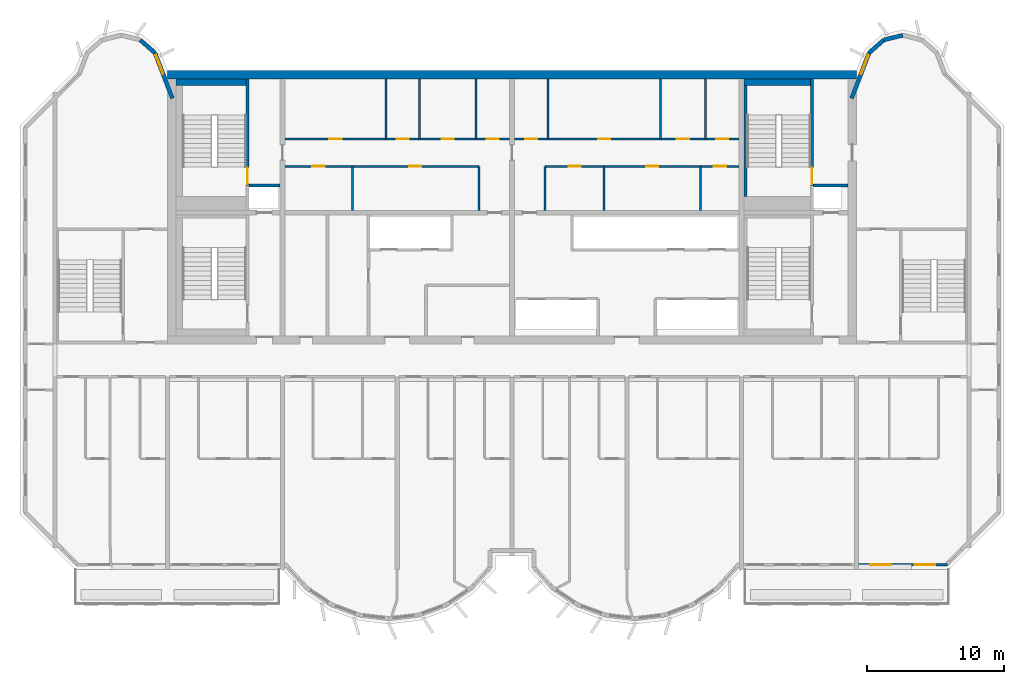
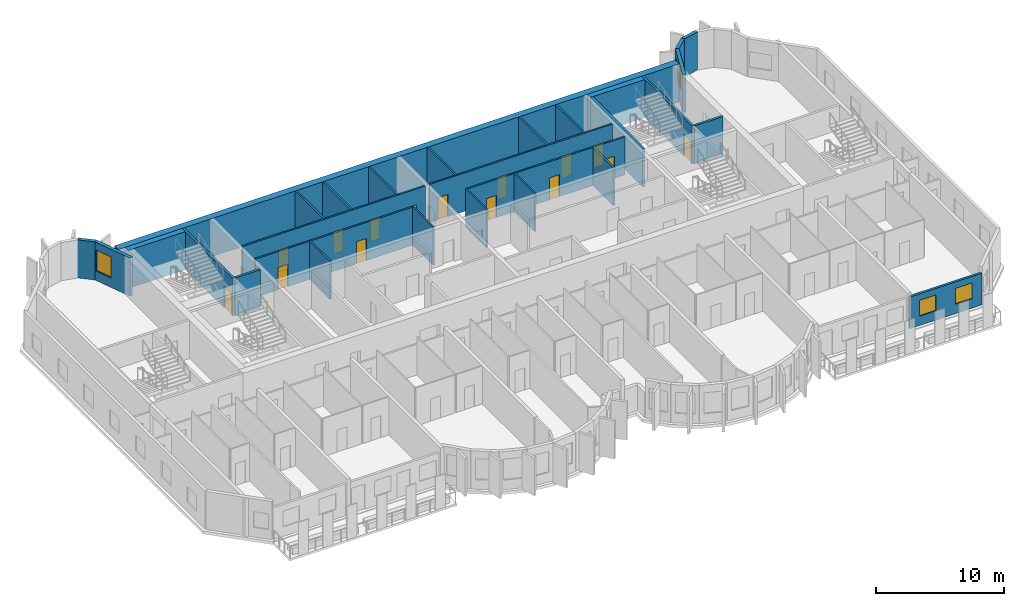
# One storey, part 7 of 11: 29 walls, 15 doors, 4 windows, 19 openings.
"""IFC4 building model written with IfcOpenShell, lengths in metres."""

from ifc_helpers import new_model, si_unit, direction, frame, frame_2d, origin, place, context, subcontext, project, spatial, rectangle, extrude, source, transform, mapped, material, layer, layer_set, type_object, element, fill, save


model = new_model("IFC4")

# Units and contexts
model_context = context("Model", 3, precision=1e-05, world=origin(), true_north=direction((0.0, 1.0)))
body_context = subcontext(model_context, "Body", "Model", "MODEL_VIEW")
ifc_project = project(units=[si_unit("LENGTHUNIT", "METRE"), si_unit("AREAUNIT", "SQUARE_METRE"), si_unit("VOLUMEUNIT", "CUBIC_METRE"), si_unit("PLANEANGLEUNIT", "RADIAN"), si_unit("MASSUNIT", "GRAM", prefix="KILO")], contexts=[model_context])

# Site, building, storey
site_placement = place(None, origin())
site = spatial("IfcSite", under=ifc_project, at=site_placement, CompositionType="ELEMENT")
building_placement = place(site_placement, origin())
building = spatial("IfcBuilding", under=site, at=building_placement, Name="Vanashikhar Sky Hotel", CompositionType="ELEMENT")
storey_placement = place(building_placement, frame((0.0, 0.0, 260.800048828125)))
storey = spatial("IfcBuildingStorey", under=building, at=storey_placement, Name="L63", CompositionType="ELEMENT", Elevation=260.800048828125)

# Wall
ifc_material_1 = material(Name="Concrete M60", Category="concrete")
ifc_layer_1 = layer(ifc_material_1, 0.60009765625)
ifc_layer_set_1 = layer_set([ifc_layer_1], Name="RC core shell wall 600 Concrete M60")
wall_type_1 = type_object("IfcWallType", Name="RC core shell wall 600 Concrete M60", PredefinedType="SHEAR", material=ifc_layer_set_1)
shared_shape_1 = source(origin(), body_context, "Body", "SweptSolid", [
    extrude(rectangle(XDim=50.400146484375, YDim=0.60009765625, at=frame_2d((25.2001953125, 0.0))), origin(), (0.0, 0.0, 1.0), 3.619873046875),
])
wall_1_placement = place(storey_placement, frame((25.199951171875, 41.699951171875, 0.0), z_axis=(0.0, 0.0, 1.0), x_axis=(1.0, 0.0, 0.0)))
element("IfcWall", 1, at=wall_1_placement, inside=storey, type_object=wall_type_1, Name="KW-L63-KN", PredefinedType="SHEAR", context=body_context, shape_type="MappedRepresentation", body=[
    mapped(shared_shape_1, transform((0.0, 0.0, 0.0), scale=1.0)),
])

# Wall, openings, windows
ifc_material_2 = material(Name="Concrete M50", Category="concrete")
ifc_layer_2 = layer(ifc_material_2, 0.199951171875)
ifc_layer_set_2 = layer_set([ifc_layer_2], Name="Front window wall 200")
wall_type_2 = type_object("IfcWallType", Name="Front window wall 200", PredefinedType="SOLIDWALL", material=ifc_layer_set_2)
shared_shape_2 = source(origin(), body_context, "Body", "SweptSolid", [
    extrude(rectangle(XDim=6.5048828125, YDim=0.199951171875, at=frame_2d((3.25244140625, 0.0))), origin(), (0.0, 0.0, 1.0), 3.02001953125),
])
wall_2_placement = place(storey_placement, frame((75.75, 5.85009765625, 0.0), z_axis=(0.0, 0.0, 1.0), x_axis=(1.0, 0.0, 0.0)))
wall_2 = element("IfcWall", 2, at=wall_2_placement, inside=storey, type_object=wall_type_2, Name="Front window wall", PredefinedType="SOLIDWALL", context=body_context, shape_type="MappedRepresentation", body=[
    mapped(shared_shape_2, transform((0.0, 0.0, 0.0), scale=1.0)),
])
shared_shape_3 = source(origin(), body_context, "Body", "SweptSolid", [
    extrude(rectangle(XDim=1.5, YDim=1.5, at=frame_2d((0.75, 0.75))), frame((0.0, 0.10986328125, 0.0), z_axis=(0.0, -1.0, 0.0), x_axis=(1.0, 0.0, 0.0)), (0.0, 0.0, 1.0), 0.219970703125),
])
opening_1_placement = place(wall_2_placement, frame((0.876220703125, 0.0, 0.89990234375)))
opening_1 = element("IfcOpeningElement", 3, at=opening_1_placement, cuts=wall_2, Name="Opening WN-1", PredefinedType="OPENING", context=body_context, shape_type="MappedRepresentation", body=[
    mapped(shared_shape_3, transform((0.0, 0.0, 0.0), scale=1.0)),
])
opening_2_placement = place(wall_2_placement, frame((4.128662109375, 0.0, 0.89990234375)))
opening_2 = element("IfcOpeningElement", 4, at=opening_2_placement, cuts=wall_2, Name="Opening WN-1", PredefinedType="OPENING", context=body_context, shape_type="MappedRepresentation", body=[
    mapped(shared_shape_3, transform((0.0, 0.0, 0.0), scale=1.0)),
])
ifc_material_3 = material(Name="Glass", Category="glass")
window_type_1 = type_object("IfcWindowType", Name="Window 1500 x 1500", PartitioningType="SINGLE_PANEL", PredefinedType="WINDOW", material=ifc_material_3)
shared_shape_4 = source(origin(), body_context, "Body", "SweptSolid", [
    extrude(rectangle(XDim=1.5, YDim=1.5, at=frame_2d((0.75, 0.75))), frame((0.0, 0.030029296875, 0.0), z_axis=(0.0, -1.0, 0.0), x_axis=(1.0, 0.0, 0.0)), (0.0, 0.0, 1.0), 0.06005859375),
])
window_1_placement = place(opening_1_placement, origin())
window_1 = element("IfcWindow", 5, at=window_1_placement, inside=storey, type_object=window_type_1, Name="Window WN-1", OverallHeight=1.5, OverallWidth=1.5, PartitioningType="SINGLE_PANEL", PredefinedType="WINDOW", context=body_context, shape_type="MappedRepresentation", body=[
    mapped(shared_shape_4, transform((0.0, 0.0, 0.0), scale=1.0)),
])
fill(opening_1, window_1)
window_2_placement = place(opening_2_placement, origin())
window_2 = element("IfcWindow", 6, at=window_2_placement, inside=storey, type_object=window_type_1, Name="Window WN-1", OverallHeight=1.5, OverallWidth=1.5, PartitioningType="SINGLE_PANEL", PredefinedType="WINDOW", context=body_context, shape_type="MappedRepresentation", body=[
    mapped(shared_shape_4, transform((0.0, 0.0, 0.0), scale=1.0)),
])
fill(opening_2, window_2)

# Wall, opening, window
ifc_layer_3 = layer(ifc_material_2, 0.300048828125)
ifc_layer_set_3 = layer_set([ifc_layer_3], Name="Lobe wall 300")
wall_type_3 = type_object("IfcWallType", Name="Lobe wall 300", PredefinedType="SOLIDWALL", material=ifc_layer_set_3)
shared_shape_5 = source(origin(), body_context, "Body", "SweptSolid", [
    extrude(rectangle(XDim=3.55908203125, YDim=0.300048828125, at=frame_2d((1.779541015625, 0.0))), origin(), (0.0, 0.0, 1.0), 3.619873046875),
])
wall_3_placement = place(storey_placement, frame((76.5234375, 43.2919921875, 0.0), z_axis=(0.0, 0.0, 1.0), x_axis=(-0.35779745313, -0.933799219604, 0.0)))
wall_3 = element("IfcWall", 7, at=wall_3_placement, inside=storey, type_object=wall_type_3, Name="Lobe wall", PredefinedType="SOLIDWALL", context=body_context, shape_type="MappedRepresentation", body=[
    mapped(shared_shape_5, transform((0.0, 0.0, 0.0), scale=1.0)),
])
shared_shape_6 = source(origin(), body_context, "Body", "SweptSolid", [
    extrude(rectangle(XDim=1.5, YDim=2.0, at=frame_2d((0.75, 1.0))), frame((0.0, 0.16015625, 0.0), z_axis=(0.0, -1.0, 0.0), x_axis=(1.0, 0.0, 0.0)), (0.0, 0.0, 1.0), 0.320068359375),
])
opening_3_placement = place(wall_3_placement, frame((0.156005859375, 0.0, 0.89990234375)))
opening_3 = element("IfcOpeningElement", 8, at=opening_3_placement, cuts=wall_3, Name="Opening WN-2", PredefinedType="OPENING", context=body_context, shape_type="MappedRepresentation", body=[
    mapped(shared_shape_6, transform((0.0, 0.0, 0.0), scale=1.0)),
])
window_type_2 = type_object("IfcWindowType", Name="Lobe window 1500 x 2000", PartitioningType="SINGLE_PANEL", PredefinedType="WINDOW", material=ifc_material_3)
shared_shape_7 = source(origin(), body_context, "Body", "SweptSolid", [
    extrude(rectangle(XDim=1.5, YDim=2.0, at=frame_2d((0.75, 1.0))), frame((0.0, 0.030029296875, 0.0), z_axis=(0.0, -1.0, 0.0), x_axis=(1.0, 0.0, 0.0)), (0.0, 0.0, 1.0), 0.06005859375),
])
window_3_placement = place(opening_3_placement, origin())
window_3 = element("IfcWindow", 9, at=window_3_placement, inside=storey, type_object=window_type_2, Name="Window WN-2", OverallHeight=2.0, OverallWidth=1.5, PartitioningType="SINGLE_PANEL", PredefinedType="WINDOW", context=body_context, shape_type="MappedRepresentation", body=[
    mapped(shared_shape_7, transform((0.0, 0.0, 0.0), scale=1.0)),
])
fill(opening_3, window_3)

wall_4_placement = place(storey_placement, frame((25.550048828125, 39.968505859375, 0.0), z_axis=(0.0, 0.0, 1.0), x_axis=(-0.35779745313, 0.933799219604, 0.0)))
wall_4 = element("IfcWall", 10, at=wall_4_placement, inside=storey, type_object=wall_type_3, Name="Lobe wall", PredefinedType="SOLIDWALL", context=body_context, shape_type="MappedRepresentation", body=[
    mapped(shared_shape_5, transform((0.0, 0.0, 0.0), scale=1.0)),
])
opening_4_placement = place(wall_4_placement, frame((1.9033203125, 0.0, 0.89990234375)))
opening_4 = element("IfcOpeningElement", 11, at=opening_4_placement, cuts=wall_4, Name="Opening WN-2", PredefinedType="OPENING", context=body_context, shape_type="MappedRepresentation", body=[
    mapped(shared_shape_6, transform((0.0, 0.0, 0.0), scale=1.0)),
])
window_4_placement = place(opening_4_placement, origin())
window_4 = element("IfcWindow", 12, at=window_4_placement, inside=storey, type_object=window_type_2, Name="Window WN-2", OverallHeight=2.0, OverallWidth=1.5, PartitioningType="SINGLE_PANEL", PredefinedType="WINDOW", context=body_context, shape_type="MappedRepresentation", body=[
    mapped(shared_shape_7, transform((0.0, 0.0, 0.0), scale=1.0)),
])
fill(opening_4, window_4)

# Walls
shared_shape_8 = source(origin(), body_context, "Body", "SweptSolid", [
    extrude(rectangle(XDim=1.440185546875, YDim=0.300048828125, at=frame_2d((0.72021484375, 0.0))), origin(), (0.0, 0.0, 1.0), 3.619873046875),
])
wall_5_placement = place(storey_placement, frame((24.276611328125, 43.2919921875, 0.0), z_axis=(0.0, 0.0, 1.0), x_axis=(-0.749649827867, 0.661834673902, 0.0)))
element("IfcWall", 13, at=wall_5_placement, inside=storey, type_object=wall_type_3, Name="Lobe wall", PredefinedType="SOLIDWALL", context=body_context, shape_type="MappedRepresentation", body=[
    mapped(shared_shape_8, transform((0.0, 0.0, 0.0), scale=1.0)),
])
shared_shape_9 = source(origin(), body_context, "Body", "SweptSolid", [
    extrude(rectangle(XDim=1.438720703125, YDim=0.300048828125, at=frame_2d((0.71923828125, 0.0))), origin(), (0.0, 0.0, 1.0), 3.619873046875),
])
wall_6_placement = place(storey_placement, frame((79.0, 44.588134765625, 0.0), z_axis=(0.0, 0.0, 1.0), x_axis=(-0.971161932466, -0.238420848351, 0.0)))
element("IfcWall", 14, at=wall_6_placement, inside=storey, type_object=wall_type_3, Name="Lobe wall", PredefinedType="SOLIDWALL", context=body_context, shape_type="MappedRepresentation", body=[
    mapped(shared_shape_9, transform((0.0, 0.0, 0.0), scale=1.0)),
])
shared_shape_10 = source(origin(), body_context, "Body", "SweptSolid", [
    extrude(rectangle(XDim=1.43994140625, YDim=0.300048828125, at=frame_2d((0.719970703125, 0.0))), origin(), (0.0, 0.0, 1.0), 3.619873046875),
])
wall_7_placement = place(storey_placement, frame((77.602783203125, 44.2451171875, 0.0), z_axis=(0.0, 0.0, 1.0), x_axis=(-0.74957555648, -0.661918790432, 0.0)))
element("IfcWall", 15, at=wall_7_placement, inside=storey, type_object=wall_type_3, Name="Lobe wall", PredefinedType="SOLIDWALL", context=body_context, shape_type="MappedRepresentation", body=[
    mapped(shared_shape_10, transform((0.0, 0.0, 0.0), scale=1.0)),
])
ifc_material_4 = material(Name="Gypsum board partition")
ifc_layer_4 = layer(ifc_material_4, 0.14990234375)
ifc_layer_set_4 = layer_set([ifc_layer_4], Name="Service partition 150")
wall_type_4 = type_object("IfcWallType", Name="Service partition 150", PredefinedType="PARTITIONING", material=ifc_layer_set_4)
shared_shape_11 = source(origin(), body_context, "Body", "SweptSolid", [
    extrude(rectangle(XDim=3.22509765625, YDim=0.14990234375, at=frame_2d((1.612548828125, 0.0))), origin(), (0.0, 0.0, 1.0), 3.619873046875),
])
for number, where, z_axis, x_axis, name in (
    (16, (48.0, 31.77490234375, 0.0), (0.0, 0.0, 1.0), (0.0, 1.0, 0.0), "Service partition 150"),
    (17, (38.72705078125, 31.77490234375, 0.0), (0.0, 0.0, 1.0), (0.0, 1.0, 0.0), "Service partition 150"),
    (18, (52.800048828125, 31.77490234375, 0.0), (0.0, 0.0, 1.0), (0.0, 1.0, 0.0), "Service partition 150"),
    (19, (64.195068359375, 31.77490234375, 0.0), (0.0, 0.0, 1.0), (0.0, 1.0, 0.0), "Service partition 150"),
    (20, (57.1201171875, 31.77490234375, 0.0), (0.0, 0.0, 1.0), (0.0, 1.0, 0.0), "Service partition 150"),
):
    element("IfcWall", number, at=place(storey_placement, frame(where, z_axis=z_axis, x_axis=x_axis)), inside=storey, type_object=wall_type_4, Name=name, PredefinedType="PARTITIONING", context=body_context, shape_type="MappedRepresentation", body=[
        mapped(shared_shape_11, transform((0.0, 0.0, 0.0), scale=1.0)),
    ])

# Wall, openings, doors
shared_shape_12 = source(origin(), body_context, "Body", "SweptSolid", [
    extrude(rectangle(XDim=14.22509765625, YDim=0.14990234375, at=frame_2d((7.112548828125, 0.0))), origin(), (0.0, 0.0, 1.0), 3.619873046875),
])
wall_8_placement = place(storey_placement, frame((33.77490234375, 35.0, 0.0), z_axis=(0.0, 0.0, 1.0), x_axis=(1.0, 0.0, 0.0)))
wall_8 = element("IfcWall", 21, at=wall_8_placement, inside=storey, type_object=wall_type_4, Name="Service partition 150", PredefinedType="PARTITIONING", context=body_context, shape_type="MappedRepresentation", body=[
    mapped(shared_shape_12, transform((0.0, 0.0, 0.0), scale=1.0)),
])
shared_shape_13 = source(origin(), body_context, "Body", "SweptSolid", [
    extrude(rectangle(XDim=0.89990234375, YDim=2.10009765625, at=frame_2d((0.449951171875, 1.050048828125))), frame((0.0, 0.0849609375, 0.0), z_axis=(0.0, -1.0, 0.0), x_axis=(1.0, 0.0, 0.0)), (0.0, 0.0, 1.0), 0.169921875),
])
opening_5_placement = place(wall_8_placement, frame((2.02587890625, 0.0, 0.0)))
opening_5 = element("IfcOpeningElement", 22, at=opening_5_placement, cuts=wall_8, Name="Opening DC-4-A", PredefinedType="OPENING", context=body_context, shape_type="MappedRepresentation", body=[
    mapped(shared_shape_13, transform((0.0, 0.0, 0.0), scale=1.0)),
])
opening_6_placement = place(wall_8_placement, frame((9.10107421875, 0.0, 0.0)))
opening_6 = element("IfcOpeningElement", 23, at=opening_6_placement, cuts=wall_8, Name="Opening DC-4-A", PredefinedType="OPENING", context=body_context, shape_type="MappedRepresentation", body=[
    mapped(shared_shape_13, transform((0.0, 0.0, 0.0), scale=1.0)),
])
ifc_material_5 = material(Name="Steel", Category="steel")
door_type_1 = type_object("IfcDoorType", Name="Service door 900 FD60", OperationType="NOTDEFINED", PredefinedType="DOOR", material=ifc_material_5)
shared_shape_14 = source(origin(), body_context, "Body", "SweptSolid", [
    extrude(rectangle(XDim=0.89990234375, YDim=2.10009765625, at=frame_2d((0.449951171875, 1.050048828125))), frame((0.0, 0.02490234375, 0.0), z_axis=(0.0, -1.0, 0.0), x_axis=(1.0, 0.0, 0.0)), (0.0, 0.0, 1.0), 0.050048828125),
])
door_1_placement = place(opening_5_placement, origin())
door_1 = element("IfcDoor", 24, at=door_1_placement, inside=storey, type_object=door_type_1, Name="Service door 900 FD60", OperationType="SINGLE_SWING_LEFT", OverallHeight=2.10009765625, OverallWidth=0.89990234375, PredefinedType="DOOR", context=body_context, shape_type="MappedRepresentation", body=[
    mapped(shared_shape_14, transform((0.0, 0.0, 0.0), scale=1.0)),
])
fill(opening_5, door_1)
door_2_placement = place(opening_6_placement, origin())
door_2 = element("IfcDoor", 25, at=door_2_placement, inside=storey, type_object=door_type_1, Name="Service door 900 FD60", OperationType="SINGLE_SWING_RIGHT", OverallHeight=2.10009765625, OverallWidth=0.89990234375, PredefinedType="DOOR", context=body_context, shape_type="MappedRepresentation", body=[
    mapped(shared_shape_14, transform((0.0, 0.0, 0.0), scale=1.0)),
])
fill(opening_6, door_2)

shared_shape_15 = source(origin(), body_context, "Body", "SweptSolid", [
    extrude(rectangle(XDim=16.4501953125, YDim=0.14990234375, at=frame_2d((8.22509765625, 0.0))), origin(), (0.0, 0.0, 1.0), 3.619873046875),
])
wall_9_placement = place(storey_placement, frame((33.77490234375, 37.0, 0.0), z_axis=(0.0, 0.0, 1.0), x_axis=(1.0, 0.0, 0.0)))
wall_9 = element("IfcWall", 26, at=wall_9_placement, inside=storey, type_object=wall_type_4, Name="Service partition 150", PredefinedType="PARTITIONING", context=body_context, shape_type="MappedRepresentation", body=[
    mapped(shared_shape_15, transform((0.0, 0.0, 0.0), scale=1.0)),
])
opening_7_placement = place(wall_9_placement, frame((3.2509765625, 0.0, 0.0)))
opening_7 = element("IfcOpeningElement", 27, at=opening_7_placement, cuts=wall_9, Name="Opening DC-4-A", PredefinedType="OPENING", context=body_context, shape_type="MappedRepresentation", body=[
    mapped(shared_shape_13, transform((0.0, 0.0, 0.0), scale=1.0)),
])
opening_8_placement = place(wall_9_placement, frame((8.18603515625, 0.0, 0.0)))
opening_8 = element("IfcOpeningElement", 28, at=opening_8_placement, cuts=wall_9, Name="Opening DC-4-A", PredefinedType="OPENING", context=body_context, shape_type="MappedRepresentation", body=[
    mapped(shared_shape_13, transform((0.0, 0.0, 0.0), scale=1.0)),
])
opening_9_placement = place(wall_9_placement, frame((11.47607421875, 0.0, 0.0)))
opening_9 = element("IfcOpeningElement", 29, at=opening_9_placement, cuts=wall_9, Name="Opening DC-4-A", PredefinedType="OPENING", context=body_context, shape_type="MappedRepresentation", body=[
    mapped(shared_shape_13, transform((0.0, 0.0, 0.0), scale=1.0)),
])
opening_10_placement = place(wall_9_placement, frame((14.76611328125, 0.0, 0.0)))
opening_10 = element("IfcOpeningElement", 30, at=opening_10_placement, cuts=wall_9, Name="Opening DC-4-A", PredefinedType="OPENING", context=body_context, shape_type="MappedRepresentation", body=[
    mapped(shared_shape_13, transform((0.0, 0.0, 0.0), scale=1.0)),
])
door_3_placement = place(opening_7_placement, origin())
door_3 = element("IfcDoor", 31, at=door_3_placement, inside=storey, type_object=door_type_1, Name="Service door 900 FD60", OperationType="SINGLE_SWING_LEFT", OverallHeight=2.10009765625, OverallWidth=0.89990234375, PredefinedType="DOOR", context=body_context, shape_type="MappedRepresentation", body=[
    mapped(shared_shape_14, transform((0.0, 0.0, 0.0), scale=1.0)),
])
fill(opening_7, door_3)
door_4_placement = place(opening_8_placement, origin())
door_4 = element("IfcDoor", 32, at=door_4_placement, inside=storey, type_object=door_type_1, Name="Service door 900 FD60", OperationType="SINGLE_SWING_LEFT", OverallHeight=2.10009765625, OverallWidth=0.89990234375, PredefinedType="DOOR", context=body_context, shape_type="MappedRepresentation", body=[
    mapped(shared_shape_14, transform((0.0, 0.0, 0.0), scale=1.0)),
])
fill(opening_8, door_4)
door_5_placement = place(opening_9_placement, origin())
door_5 = element("IfcDoor", 33, at=door_5_placement, inside=storey, type_object=door_type_1, Name="Service door 900 FD60", OperationType="SINGLE_SWING_LEFT", OverallHeight=2.10009765625, OverallWidth=0.89990234375, PredefinedType="DOOR", context=body_context, shape_type="MappedRepresentation", body=[
    mapped(shared_shape_14, transform((0.0, 0.0, 0.0), scale=1.0)),
])
fill(opening_9, door_5)
door_6_placement = place(opening_10_placement, origin())
door_6 = element("IfcDoor", 34, at=door_6_placement, inside=storey, type_object=door_type_1, Name="Service door 900 FD60", OperationType="SINGLE_SWING_LEFT", OverallHeight=2.10009765625, OverallWidth=0.89990234375, PredefinedType="DOOR", context=body_context, shape_type="MappedRepresentation", body=[
    mapped(shared_shape_14, transform((0.0, 0.0, 0.0), scale=1.0)),
])
fill(opening_10, door_6)

# Walls
shared_shape_16 = source(origin(), body_context, "Body", "SweptSolid", [
    extrude(rectangle(XDim=4.39990234375, YDim=0.14990234375, at=frame_2d((2.199951171875, 0.0))), origin(), (0.0, 0.0, 1.0), 3.619873046875),
])
for number, where, z_axis, x_axis, name in (
    (35, (41.177978515625, 37.0, 0.0), (0.0, 0.0, 1.0), (0.0, 1.0, 0.0), "Service partition 150"),
    (36, (43.64501953125, 37.0, 0.0), (0.0, 0.0, 1.0), (0.0, 1.0, 0.0), "Service partition 150"),
    (37, (47.758056640625, 37.0, 0.0), (0.0, 0.0, 1.0), (0.0, 1.0, 0.0), "Service partition 150"),
    (38, (64.55810546875, 37.0, 0.0), (0.0, 0.0, 1.0), (0.0, 1.0, 0.0), "Service partition 150"),
    (39, (61.26708984375, 37.0, 0.0), (0.0, 0.0, 1.0), (0.0, 1.0, 0.0), "Service partition 150"),
    (40, (53.0419921875, 37.0, 0.0), (0.0, 0.0, 1.0), (0.0, 1.0, 0.0), "Service partition 150"),
):
    element("IfcWall", number, at=place(storey_placement, frame(where, z_axis=z_axis, x_axis=x_axis)), inside=storey, type_object=wall_type_4, Name=name, PredefinedType="PARTITIONING", context=body_context, shape_type="MappedRepresentation", body=[
        mapped(shared_shape_16, transform((0.0, 0.0, 0.0), scale=1.0)),
    ])

# Wall, openings, doors
shared_shape_17 = source(origin(), body_context, "Body", "SweptSolid", [
    extrude(rectangle(XDim=14.224853515625, YDim=0.14990234375, at=frame_2d((7.1123046875, 0.0))), origin(), (0.0, 0.0, 1.0), 3.619873046875),
])
wall_10_placement = place(storey_placement, frame((67.02490234375, 35.0, 0.0), z_axis=(0.0, 0.0, 1.0), x_axis=(-1.0, 0.0, 0.0)))
wall_10 = element("IfcWall", 41, at=wall_10_placement, inside=storey, type_object=wall_type_4, Name="Service partition 150", PredefinedType="PARTITIONING", context=body_context, shape_type="MappedRepresentation", body=[
    mapped(shared_shape_17, transform((0.0, 0.0, 0.0), scale=1.0)),
])
opening_11_placement = place(wall_10_placement, frame((0.965087890625, 0.0, 0.0)))
opening_11 = element("IfcOpeningElement", 42, at=opening_11_placement, cuts=wall_10, Name="Opening DC-4-A", PredefinedType="OPENING", context=body_context, shape_type="MappedRepresentation", body=[
    mapped(shared_shape_13, transform((0.0, 0.0, 0.0), scale=1.0)),
])
opening_12_placement = place(wall_10_placement, frame((5.91796875, 0.0, 0.0)))
opening_12 = element("IfcOpeningElement", 43, at=opening_12_placement, cuts=wall_10, Name="Opening DC-4-A", PredefinedType="OPENING", context=body_context, shape_type="MappedRepresentation", body=[
    mapped(shared_shape_13, transform((0.0, 0.0, 0.0), scale=1.0)),
])
opening_13_placement = place(wall_10_placement, frame((11.576904296875, 0.0, 0.0)))
opening_13 = element("IfcOpeningElement", 44, at=opening_13_placement, cuts=wall_10, Name="Opening DC-4-A", PredefinedType="OPENING", context=body_context, shape_type="MappedRepresentation", body=[
    mapped(shared_shape_13, transform((0.0, 0.0, 0.0), scale=1.0)),
])
door_7_placement = place(opening_11_placement, origin())
door_7 = element("IfcDoor", 45, at=door_7_placement, inside=storey, type_object=door_type_1, Name="Service door 900 FD60", OperationType="SINGLE_SWING_RIGHT", OverallHeight=2.10009765625, OverallWidth=0.89990234375, PredefinedType="DOOR", context=body_context, shape_type="MappedRepresentation", body=[
    mapped(shared_shape_14, transform((0.0, 0.0, 0.0), scale=1.0)),
])
fill(opening_11, door_7)
door_8_placement = place(opening_12_placement, origin())
door_8 = element("IfcDoor", 46, at=door_8_placement, inside=storey, type_object=door_type_1, Name="Service door 900 FD60", OperationType="SINGLE_SWING_RIGHT", OverallHeight=2.10009765625, OverallWidth=0.89990234375, PredefinedType="DOOR", context=body_context, shape_type="MappedRepresentation", body=[
    mapped(shared_shape_14, transform((0.0, 0.0, 0.0), scale=1.0)),
])
fill(opening_12, door_8)
door_9_placement = place(opening_13_placement, origin())
door_9 = element("IfcDoor", 47, at=door_9_placement, inside=storey, type_object=door_type_1, Name="Service door 900 FD60", OperationType="SINGLE_SWING_RIGHT", OverallHeight=2.10009765625, OverallWidth=0.89990234375, PredefinedType="DOOR", context=body_context, shape_type="MappedRepresentation", body=[
    mapped(shared_shape_14, transform((0.0, 0.0, 0.0), scale=1.0)),
])
fill(opening_13, door_9)

shared_shape_18 = source(origin(), body_context, "Body", "SweptSolid", [
    extrude(rectangle(XDim=16.449951171875, YDim=0.14990234375, at=frame_2d((8.22509765625, 0.0))), origin(), (0.0, 0.0, 1.0), 3.619873046875),
])
wall_11_placement = place(storey_placement, frame((67.02490234375, 37.0, 0.0), z_axis=(0.0, 0.0, 1.0), x_axis=(-1.0, 0.0, 0.0)))
wall_11 = element("IfcWall", 48, at=wall_11_placement, inside=storey, type_object=wall_type_4, Name="Service partition 150", PredefinedType="PARTITIONING", context=body_context, shape_type="MappedRepresentation", body=[
    mapped(shared_shape_18, transform((0.0, 0.0, 0.0), scale=1.0)),
])
opening_14_placement = place(wall_11_placement, frame((0.783935546875, 0.0, 0.0)))
opening_14 = element("IfcOpeningElement", 49, at=opening_14_placement, cuts=wall_11, Name="Opening DC-4-A", PredefinedType="OPENING", context=body_context, shape_type="MappedRepresentation", body=[
    mapped(shared_shape_13, transform((0.0, 0.0, 0.0), scale=1.0)),
])
opening_15_placement = place(wall_11_placement, frame((3.6630859375, 0.0, 0.0)))
opening_15 = element("IfcOpeningElement", 50, at=opening_15_placement, cuts=wall_11, Name="Opening DC-4-A", PredefinedType="OPENING", context=body_context, shape_type="MappedRepresentation", body=[
    mapped(shared_shape_13, transform((0.0, 0.0, 0.0), scale=1.0)),
])
opening_16_placement = place(wall_11_placement, frame((9.419921875, 0.0, 0.0)))
opening_16 = element("IfcOpeningElement", 51, at=opening_16_placement, cuts=wall_11, Name="Opening DC-4-A", PredefinedType="OPENING", context=body_context, shape_type="MappedRepresentation", body=[
    mapped(shared_shape_13, transform((0.0, 0.0, 0.0), scale=1.0)),
])
opening_17_placement = place(wall_11_placement, frame((14.76611328125, 0.0, 0.0)))
opening_17 = element("IfcOpeningElement", 52, at=opening_17_placement, cuts=wall_11, Name="Opening DC-4-A", PredefinedType="OPENING", context=body_context, shape_type="MappedRepresentation", body=[
    mapped(shared_shape_13, transform((0.0, 0.0, 0.0), scale=1.0)),
])
door_10_placement = place(opening_14_placement, origin())
door_10 = element("IfcDoor", 53, at=door_10_placement, inside=storey, type_object=door_type_1, Name="Service door 900 FD60", OperationType="SINGLE_SWING_LEFT", OverallHeight=2.10009765625, OverallWidth=0.89990234375, PredefinedType="DOOR", context=body_context, shape_type="MappedRepresentation", body=[
    mapped(shared_shape_14, transform((0.0, 0.0, 0.0), scale=1.0)),
])
fill(opening_14, door_10)
door_11_placement = place(opening_15_placement, origin())
door_11 = element("IfcDoor", 54, at=door_11_placement, inside=storey, type_object=door_type_1, Name="Service door 900 FD60", OperationType="SINGLE_SWING_LEFT", OverallHeight=2.10009765625, OverallWidth=0.89990234375, PredefinedType="DOOR", context=body_context, shape_type="MappedRepresentation", body=[
    mapped(shared_shape_14, transform((0.0, 0.0, 0.0), scale=1.0)),
])
fill(opening_15, door_11)
door_12_placement = place(opening_16_placement, origin())
door_12 = element("IfcDoor", 55, at=door_12_placement, inside=storey, type_object=door_type_1, Name="Service door 900 FD60", OperationType="SINGLE_SWING_LEFT", OverallHeight=2.10009765625, OverallWidth=0.89990234375, PredefinedType="DOOR", context=body_context, shape_type="MappedRepresentation", body=[
    mapped(shared_shape_14, transform((0.0, 0.0, 0.0), scale=1.0)),
])
fill(opening_16, door_12)
door_13_placement = place(opening_17_placement, origin())
door_13 = element("IfcDoor", 56, at=door_13_placement, inside=storey, type_object=door_type_1, Name="Service door 900 FD60", OperationType="SINGLE_SWING_RIGHT", OverallHeight=2.10009765625, OverallWidth=0.89990234375, PredefinedType="DOOR", context=body_context, shape_type="MappedRepresentation", body=[
    mapped(shared_shape_14, transform((0.0, 0.0, 0.0), scale=1.0)),
])
fill(opening_17, door_13)

# Wall
ifc_material_6 = material(Name="Concrete M40", Category="concrete")
ifc_layer_5 = layer(ifc_material_6, 0.199951171875)
ifc_layer_set_5 = layer_set([ifc_layer_5], Name="Shaft wall 200")
wall_type_5 = type_object("IfcWallType", Name="Shaft wall 200", PredefinedType="SOLIDWALL", material=ifc_layer_set_5)
shared_shape_19 = source(origin(), body_context, "Body", "SweptSolid", [
    extrude(rectangle(XDim=2.275146484375, YDim=0.199951171875, at=frame_2d((1.1376953125, 0.0))), origin(), (0.0, 0.0, 1.0), 3.619873046875),
])
wall_12_placement = place(storey_placement, frame((31.14990234375, 33.60009765625, 0.0), z_axis=(0.0, 0.0, 1.0), x_axis=(1.0, 0.0, 0.0)))
element("IfcWall", 57, at=wall_12_placement, inside=storey, type_object=wall_type_5, Name="Shaft wall 200", PredefinedType="SOLIDWALL", context=body_context, shape_type="MappedRepresentation", body=[
    mapped(shared_shape_19, transform((0.0, 0.0, 0.0), scale=1.0)),
])

# Wall, opening, door
ifc_layer_6 = layer(ifc_material_2, 0.199951171875)
ifc_layer_set_6 = layer_set([ifc_layer_6], Name="Stair wall 200")
wall_type_6 = type_object("IfcWallType", Name="Stair wall 200", PredefinedType="SOLIDWALL", material=ifc_layer_set_6)
shared_shape_20 = source(origin(), body_context, "Body", "SweptSolid", [
    extrude(rectangle(XDim=7.7998046875, YDim=0.199951171875, at=frame_2d((3.89990234375, 0.0))), origin(), (0.0, 0.0, 1.0), 3.619873046875),
])
wall_13_placement = place(storey_placement, frame((31.050048828125, 33.60009765625, 0.0), z_axis=(0.0, 0.0, 1.0), x_axis=(0.0, 1.0, 0.0)))
wall_13 = element("IfcWall", 58, at=wall_13_placement, inside=storey, type_object=wall_type_6, Name="Stair wall 200", PredefinedType="SOLIDWALL", context=body_context, shape_type="MappedRepresentation", body=[
    mapped(shared_shape_20, transform((0.0, 0.0, 0.0), scale=1.0)),
])
shared_shape_21 = source(origin(), body_context, "Body", "SweptSolid", [
    extrude(rectangle(XDim=1.199951171875, YDim=2.10009765625, at=frame_2d((0.60009765625, 1.050048828125))), frame((0.0, 0.10986328125, 0.0), z_axis=(0.0, -1.0, 0.0), x_axis=(1.0, 0.0, 0.0)), (0.0, 0.0, 1.0), 0.219970703125),
])
opening_18_placement = place(wall_13_placement, frame((0.10009765625, 0.0, 0.0)))
opening_18 = element("IfcOpeningElement", 59, at=opening_18_placement, cuts=wall_13, Name="Opening DC-1", PredefinedType="OPENING", context=body_context, shape_type="MappedRepresentation", body=[
    mapped(shared_shape_21, transform((0.0, 0.0, 0.0), scale=1.0)),
])
door_type_2 = type_object("IfcDoorType", Name="Stair door 1200 FD120", OperationType="NOTDEFINED", PredefinedType="DOOR", material=ifc_material_5)
shared_shape_22 = source(origin(), body_context, "Body", "SweptSolid", [
    extrude(rectangle(XDim=1.199951171875, YDim=2.10009765625, at=frame_2d((0.60009765625, 1.050048828125))), frame((0.0, 0.02490234375, 0.0), z_axis=(0.0, -1.0, 0.0), x_axis=(1.0, 0.0, 0.0)), (0.0, 0.0, 1.0), 0.050048828125),
])
door_14_placement = place(opening_18_placement, origin())
door_14 = element("IfcDoor", 60, at=door_14_placement, inside=storey, type_object=door_type_2, Name="Stair door 1200 FD120", OperationType="SINGLE_SWING_LEFT", OverallHeight=2.10009765625, OverallWidth=1.199951171875, PredefinedType="DOOR", context=body_context, shape_type="MappedRepresentation", body=[
    mapped(shared_shape_22, transform((0.0, 0.0, 0.0), scale=1.0)),
])
fill(opening_18, door_14)

wall_14_placement = place(storey_placement, frame((72.35009765625, 33.60009765625, 0.0), z_axis=(0.0, 0.0, 1.0), x_axis=(0.0, 1.0, 0.0)))
wall_14 = element("IfcWall", 61, at=wall_14_placement, inside=storey, type_object=wall_type_6, Name="Stair wall 200", PredefinedType="SOLIDWALL", context=body_context, shape_type="MappedRepresentation", body=[
    mapped(shared_shape_20, transform((0.0, 0.0, 0.0), scale=1.0)),
])
opening_19_placement = place(wall_14_placement, frame((0.10009765625, 0.0, 0.0)))
opening_19 = element("IfcOpeningElement", 62, at=opening_19_placement, cuts=wall_14, Name="Opening DC-1", PredefinedType="OPENING", context=body_context, shape_type="MappedRepresentation", body=[
    mapped(shared_shape_21, transform((0.0, 0.0, 0.0), scale=1.0)),
])
door_15_placement = place(opening_19_placement, origin())
door_15 = element("IfcDoor", 63, at=door_15_placement, inside=storey, type_object=door_type_2, Name="Stair door 1200 FD120", OperationType="SINGLE_SWING_LEFT", OverallHeight=2.10009765625, OverallWidth=1.199951171875, PredefinedType="DOOR", context=body_context, shape_type="MappedRepresentation", body=[
    mapped(shared_shape_22, transform((0.0, 0.0, 0.0), scale=1.0)),
])
fill(opening_19, door_15)

# Walls
shared_shape_23 = source(origin(), body_context, "Body", "SweptSolid", [
    extrude(rectangle(XDim=2.550048828125, YDim=0.199951171875, at=frame_2d((1.27490234375, 0.0))), origin(), (0.0, 0.0, 1.0), 3.619873046875),
])
wall_15_placement = place(storey_placement, frame((72.449951171875, 33.60009765625, 0.0), z_axis=(0.0, 0.0, 1.0), x_axis=(1.0, 0.0, 0.0)))
element("IfcWall", 64, at=wall_15_placement, inside=storey, type_object=wall_type_5, Name="Shaft wall 200", PredefinedType="SOLIDWALL", context=body_context, shape_type="MappedRepresentation", body=[
    mapped(shared_shape_23, transform((0.0, 0.0, 0.0), scale=1.0)),
])
ifc_layer_7 = layer(ifc_material_2, 0.5)
ifc_layer_set_7 = layer_set([ifc_layer_7], Name="Stair infill wall 500")
wall_type_7 = type_object("IfcWallType", Name="Stair infill wall 500", PredefinedType="SOLIDWALL", material=ifc_layer_set_7)
shared_shape_24 = source(origin(), body_context, "Body", "SweptSolid", [
    extrude(rectangle(XDim=5.14990234375, YDim=0.5, at=frame_2d((2.574951171875, 0.0))), origin(), (0.0, 0.0, 1.0), 3.619873046875),
])
wall_16_placement = place(storey_placement, frame((25.800048828125, 41.14990234375, 0.0), z_axis=(0.0, 0.0, 1.0), x_axis=(1.0, 0.0, 0.0)))
element("IfcWall", 65, at=wall_16_placement, inside=storey, type_object=wall_type_7, Name="Stair infill wall 500", PredefinedType="SOLIDWALL", context=body_context, shape_type="MappedRepresentation", body=[
    mapped(shared_shape_24, transform((0.0, 0.0, 0.0), scale=1.0)),
])
shared_shape_25 = source(origin(), body_context, "Body", "SweptSolid", [
    extrude(rectangle(XDim=4.875, YDim=0.5, at=frame_2d((2.4375, 0.0))), origin(), (0.0, 0.0, 1.0), 3.619873046875),
])
wall_17_placement = place(storey_placement, frame((67.375, 41.14990234375, 0.0), z_axis=(0.0, 0.0, 1.0), x_axis=(1.0, 0.0, 0.0)))
element("IfcWall", 66, at=wall_17_placement, inside=storey, type_object=wall_type_7, Name="Stair infill wall 500", PredefinedType="SOLIDWALL", context=body_context, shape_type="MappedRepresentation", body=[
    mapped(shared_shape_25, transform((0.0, 0.0, 0.0), scale=1.0)),
])
ifc_layer_8 = layer(ifc_material_2, 0.22509765625)
ifc_layer_set_8 = layer_set([ifc_layer_8], Name="Stair infill wall 225")
wall_type_8 = type_object("IfcWallType", Name="Stair infill wall 225", PredefinedType="SOLIDWALL", material=ifc_layer_set_8)
shared_shape_26 = source(origin(), body_context, "Body", "SweptSolid", [
    extrude(rectangle(XDim=8.099853515625, YDim=0.22509765625, at=frame_2d((4.0498046875, 0.0))), origin(), (0.0, 0.0, 1.0), 3.619873046875),
])
wall_18_placement = place(storey_placement, frame((67.487060546875, 32.800048828125, 0.0), z_axis=(0.0, 0.0, 1.0), x_axis=(0.0, 1.0, 0.0)))
element("IfcWall", 67, at=wall_18_placement, inside=storey, type_object=wall_type_8, Name="Stair infill wall 225", PredefinedType="SOLIDWALL", context=body_context, shape_type="MappedRepresentation", body=[
    mapped(shared_shape_26, transform((0.0, 0.0, 0.0), scale=1.0)),
])

save(model, "model.ifc")
